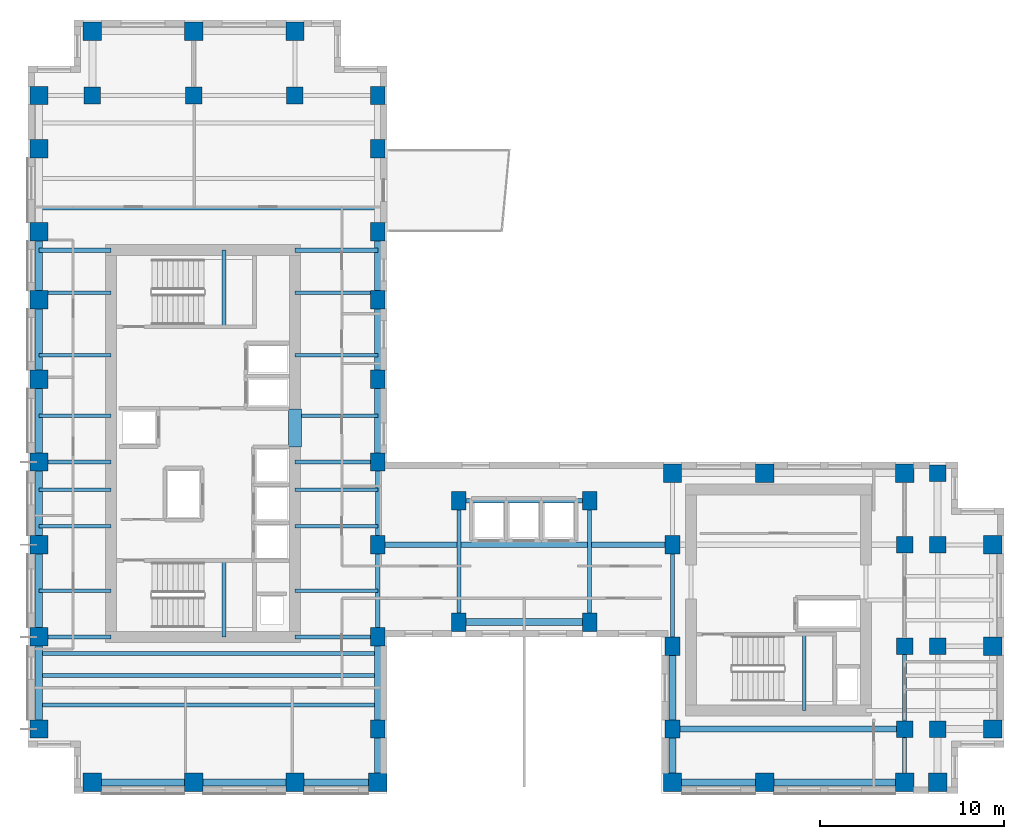
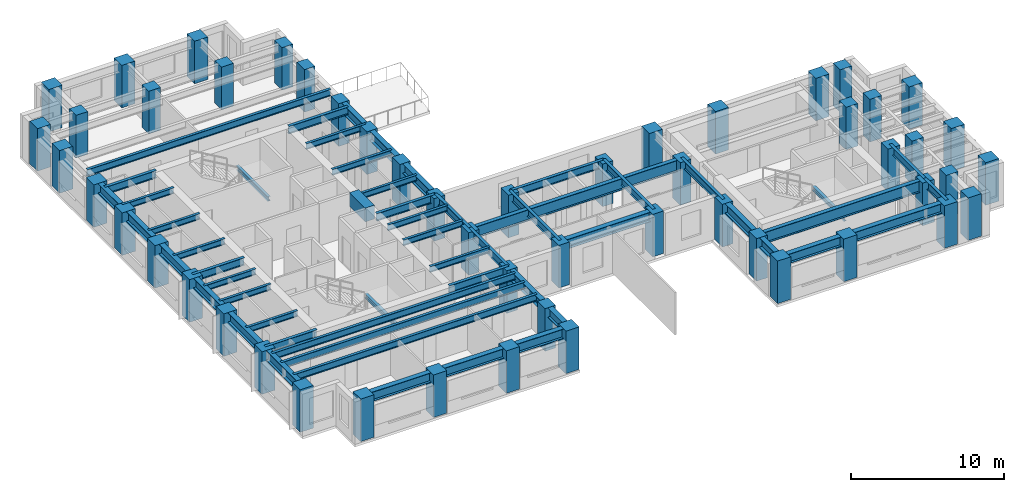
# One storey, part 1 of 10: 55 beams, 52 columns.
"""IFC4 building model written with IfcOpenShell, lengths in metres."""

from ifc_helpers import new_model, si_unit, direction, frame, origin, origin_2d, place, context, subcontext, project, spatial, rectangle, i_section, extrude, source, transform, mapped, material, material_profile, profile_set, type_object, element, save


model = new_model("IFC4")

# Units and contexts
model_context = context("Model", 3, precision=1e-05, world=origin(), true_north=direction((0.0, 1.0)))
body_context = subcontext(model_context, "Body", "Model", "MODEL_VIEW")
ifc_project = project(units=[si_unit("LENGTHUNIT", "METRE"), si_unit("AREAUNIT", "SQUARE_METRE"), si_unit("VOLUMEUNIT", "CUBIC_METRE"), si_unit("PLANEANGLEUNIT", "RADIAN"), si_unit("MASSUNIT", "GRAM", prefix="KILO")], contexts=[model_context])

# Site, building, storey
site_placement = place(None, origin())
site = spatial("IfcSite", under=ifc_project, at=site_placement, CompositionType="ELEMENT")
building_placement = place(site_placement, origin())
building = spatial("IfcBuilding", under=site, at=building_placement, Name="Kharzan Plaza Tower", CompositionType="ELEMENT")
storey_placement = place(building_placement, frame((0.0, 0.0, 157.5)))
storey = spatial("IfcBuildingStorey", under=building, at=storey_placement, Name="L42", CompositionType="ELEMENT", Elevation=157.5)

# Columns
ifc_material_1 = material(Name="Concrete C50/60", Category="concrete")
ifc_material_profile_1 = material_profile(ifc_material_1, rectangle(XDim=0.89990234375, YDim=0.89990234375, at=origin_2d()), Name="RC-IC900x900")
ifc_profile_set_1 = profile_set([ifc_material_profile_1], Name="Concrete C50/60")
column_type_1 = type_object("IfcColumnType", Name="COL-IC900", PredefinedType="COLUMN", material=ifc_profile_set_1)
shared_shape_1 = source(origin(), body_context, "Body", "SweptSolid", [
    extrude(rectangle(XDim=0.89990234375, YDim=0.89990234375, at=origin_2d()), origin(), (0.0, 0.0, 1.0), 3.39990234375),
])
for number, where, z_axis, x_axis, name in (
    (1, (47.60009765625, 13.5, 0.0), (0.0, 0.0, 1.0), (1.0, 0.0, 0.0), "L42 Structural Column TCBI-135"),
    (2, (47.60009765625, 3.5, 0.0), (0.0, 0.0, 1.0), (1.0, 0.0, 0.0), "L42 Structural Column TCBI-35"),
    (3, (47.60009765625, 8.0, 0.0), (0.0, 0.0, 1.0), (1.0, 0.0, 0.0), "L42 Structural Column TCBI-80"),
    (4, (49.39990234375, 13.5, 0.0), (0.0, 0.0, 1.0), (1.0, 0.0, 0.0), "L42 Structural Column TCE-494-135"),
    (5, (49.39990234375, 17.39990234375, 0.0), (0.0, 0.0, 1.0), (1.0, 0.0, 0.0), "L42 Structural Column TCE-494-174"),
    (6, (49.39990234375, 3.5, 0.0), (0.0, 0.0, 1.0), (1.0, 0.0, 0.0), "L42 Structural Column TCE-494-35"),
    (7, (49.39990234375, 8.0, 0.0), (0.0, 0.0, 1.0), (1.0, 0.0, 0.0), "L42 Structural Column TCE-494-80"),
    (8, (14.5, 37.89990234375, 0.0), (0.0, 0.0, 1.0), (1.0, 0.0, 0.0), "L42 Structural Column TCN-145-379"),
    (9, (3.5, 37.89990234375, 0.0), (0.0, 0.0, 1.0), (1.0, 0.0, 0.0), "L42 Structural Column TCN-35-379"),
    (10, (9.0, 37.89990234375, 0.0), (0.0, 0.0, 1.0), (1.0, 0.0, 0.0), "L42 Structural Column TCN-90-379"),
):
    element("IfcColumn", number, at=place(storey_placement, frame(where, z_axis=z_axis, x_axis=x_axis)), inside=storey, type_object=column_type_1, Name=name, PredefinedType="COLUMN", context=body_context, shape_type="MappedRepresentation", body=[
        mapped(shared_shape_1, transform((0.0, 0.0, 0.0), x_axis=(1.0, 0.0, 0.0), y_axis=(0.0, 1.0, 0.0), z_axis=(0.0, 0.0, 1.0))),
    ])
ifc_material_profile_2 = material_profile(ifc_material_1, rectangle(XDim=0.800048828125, YDim=1.0, at=origin_2d()), Name="RC-SC1000x800")
ifc_profile_set_2 = profile_set([ifc_material_profile_2], Name="Concrete C50/60")
column_type_2 = type_object("IfcColumnType", Name="COL-SC1000", PredefinedType="COLUMN", material=ifc_profile_set_2)
shared_shape_2 = source(origin(), body_context, "Body", "SweptSolid", [
    extrude(rectangle(XDim=0.800048828125, YDim=1.0, at=origin_2d()), origin(), (0.0, 0.0, 1.0), 3.39990234375),
])
for number, where, z_axis, x_axis, name in (
    (11, (19.0, 13.5, 0.0), (0.0, 0.0, 1.0), (1.0, 0.0, 0.0), "L42 Structural Column TCA-135"),
    (12, (19.0, 18.0, 0.0), (0.0, 0.0, 1.0), (1.0, 0.0, 0.0), "L42 Structural Column TCA-180"),
    (13, (19.0, 22.5, 0.0), (0.0, 0.0, 1.0), (1.0, 0.0, 0.0), "L42 Structural Column TCA-225"),
    (14, (19.0, 26.800048828125, 0.0), (0.0, 0.0, 1.0), (1.0, 0.0, 0.0), "L42 Structural Column TCA-268"),
    (15, (19.0, 30.5, 0.0), (0.0, 0.0, 1.0), (1.0, 0.0, 0.0), "L42 Structural Column TCA-305"),
    (16, (19.0, 3.5, 0.0), (0.0, 0.0, 1.0), (1.0, 0.0, 0.0), "L42 Structural Column TCA-35"),
    (17, (19.0, 35.0, 0.0), (0.0, 0.0, 1.0), (1.0, 0.0, 0.0), "L42 Structural Column TCA-350"),
    (18, (19.0, 37.89990234375, 0.0), (0.0, 0.0, 1.0), (1.0, 0.0, 0.0), "L42 Structural Column TCA-379"),
    (19, (19.0, 8.5, 0.0), (0.0, 0.0, 1.0), (1.0, 0.0, 0.0), "L42 Structural Column TCA-85"),
    (20, (35.0, 13.5, 0.0), (0.0, 0.0, 1.0), (1.0, 0.0, 0.0), "L42 Structural Column TCBS-135"),
    (21, (35.0, 3.5, 0.0), (0.0, 0.0, 1.0), (1.0, 0.0, 0.0), "L42 Structural Column TCBS-35"),
    (22, (35.0, 8.0, 0.0), (0.0, 0.0, 1.0), (1.0, 0.0, 0.0), "L42 Structural Column TCBS-80"),
    (23, (23.39990234375, 15.89990234375, 0.0), (0.0, 0.0, 1.0), (1.0, 0.0, 0.0), "L42 Structural Column TCSP-234-159"),
    (24, (23.39990234375, 9.300048828125, 0.0), (0.0, 0.0, 1.0), (1.0, 0.0, 0.0), "L42 Structural Column TCSP-234-93"),
    (25, (30.5, 15.89990234375, 0.0), (0.0, 0.0, 1.0), (1.0, 0.0, 0.0), "L42 Structural Column TCSP-305-159"),
    (26, (30.5, 9.300048828125, 0.0), (0.0, 0.0, 1.0), (1.0, 0.0, 0.0), "L42 Structural Column TCSP-305-93"),
):
    element("IfcColumn", number, at=place(storey_placement, frame(where, z_axis=z_axis, x_axis=x_axis)), inside=storey, type_object=column_type_2, Name=name, PredefinedType="COLUMN", context=body_context, shape_type="MappedRepresentation", body=[
        mapped(shared_shape_2, transform((0.0, 0.0, 0.0), x_axis=(1.0, 0.0, 0.0), y_axis=(0.0, 1.0, 0.0), z_axis=(0.0, 0.0, 1.0))),
    ])
ifc_material_profile_3 = material_profile(ifc_material_1, rectangle(XDim=1.0, YDim=1.0, at=origin_2d()), Name="RC-TC1000x1000")
ifc_profile_set_3 = profile_set([ifc_material_profile_3], Name="Concrete C50/60")
column_type_3 = type_object("IfcColumnType", Name="COL-TC1000", PredefinedType="COLUMN", material=ifc_profile_set_3)
shared_shape_3 = source(origin(), body_context, "Body", "SweptSolid", [
    extrude(rectangle(XDim=1.0, YDim=1.0, at=origin_2d()), origin(), (0.0, 0.0, 1.0), 3.39990234375),
])
for number, where, z_axis, x_axis, name in (
    (27, (35.0, 17.39990234375, 0.0), (0.0, 0.0, 1.0), (1.0, 0.0, 0.0), "L42 Structural Column TCBN-350-174"),
    (28, (40.0, 17.39990234375, 0.0), (0.0, 0.0, 1.0), (1.0, 0.0, 0.0), "L42 Structural Column TCBN-400-174"),
    (29, (47.60009765625, 17.39990234375, 0.0), (0.0, 0.0, 1.0), (1.0, 0.0, 0.0), "L42 Structural Column TCBN-476-174"),
    (30, (52.39990234375, 13.5, 0.0), (0.0, 0.0, 1.0), (1.0, 0.0, 0.0), "L42 Structural Column TCE-524-135"),
    (31, (52.39990234375, 3.5, 0.0), (0.0, 0.0, 1.0), (1.0, 0.0, 0.0), "L42 Structural Column TCE-524-35"),
    (32, (52.39990234375, 8.0, 0.0), (0.0, 0.0, 1.0), (1.0, 0.0, 0.0), "L42 Structural Column TCE-524-80"),
    (33, (14.5, 41.39990234375, 0.0), (0.0, 0.0, 1.0), (1.0, 0.0, 0.0), "L42 Structural Column TCN-145-414"),
    (34, (3.5, 41.39990234375, 0.0), (0.0, 0.0, 1.0), (1.0, 0.0, 0.0), "L42 Structural Column TCN-35-414"),
    (35, (9.0, 41.39990234375, 0.0), (0.0, 0.0, 1.0), (1.0, 0.0, 0.0), "L42 Structural Column TCN-90-414"),
    (36, (14.5, 0.60009765625, 0.0), (0.0, 0.0, 1.0), (1.0, 0.0, 0.0), "L42 Structural Column TCS-145"),
    (37, (19.0, 0.60009765625, 0.0), (0.0, 0.0, 1.0), (1.0, 0.0, 0.0), "L42 Structural Column TCS-190"),
    (38, (3.5, 0.60009765625, 0.0), (0.0, 0.0, 1.0), (1.0, 0.0, 0.0), "L42 Structural Column TCS-35"),
    (39, (35.0, 0.60009765625, 0.0), (0.0, 0.0, 1.0), (1.0, 0.0, 0.0), "L42 Structural Column TCS-350"),
    (40, (40.0, 0.60009765625, 0.0), (0.0, 0.0, 1.0), (1.0, 0.0, 0.0), "L42 Structural Column TCS-400"),
    (41, (47.60009765625, 0.60009765625, 0.0), (0.0, 0.0, 1.0), (1.0, 0.0, 0.0), "L42 Structural Column TCS-476"),
    (42, (49.39990234375, 0.60009765625, 0.0), (0.0, 0.0, 1.0), (1.0, 0.0, 0.0), "L42 Structural Column TCS-494"),
    (43, (9.0, 0.60009765625, 0.0), (0.0, 0.0, 1.0), (1.0, 0.0, 0.0), "L42 Structural Column TCS-90"),
    (44, (0.60009765625, 13.5, 0.0), (0.0, 0.0, 1.0), (1.0, 0.0, 0.0), "L42 Structural Column TCW-135"),
    (45, (0.60009765625, 18.0, 0.0), (0.0, 0.0, 1.0), (1.0, 0.0, 0.0), "L42 Structural Column TCW-180"),
    (46, (0.60009765625, 22.5, 0.0), (0.0, 0.0, 1.0), (1.0, 0.0, 0.0), "L42 Structural Column TCW-225"),
    (47, (0.60009765625, 26.800048828125, 0.0), (0.0, 0.0, 1.0), (1.0, 0.0, 0.0), "L42 Structural Column TCW-268"),
    (48, (0.60009765625, 30.5, 0.0), (0.0, 0.0, 1.0), (1.0, 0.0, 0.0), "L42 Structural Column TCW-305"),
    (49, (0.60009765625, 3.5, 0.0), (0.0, 0.0, 1.0), (1.0, 0.0, 0.0), "L42 Structural Column TCW-35"),
    (50, (0.60009765625, 35.0, 0.0), (0.0, 0.0, 1.0), (1.0, 0.0, 0.0), "L42 Structural Column TCW-350"),
    (51, (0.60009765625, 37.89990234375, 0.0), (0.0, 0.0, 1.0), (1.0, 0.0, 0.0), "L42 Structural Column TCW-379"),
    (52, (0.60009765625, 8.5, 0.0), (0.0, 0.0, 1.0), (1.0, 0.0, 0.0), "L42 Structural Column TCW-85"),
):
    element("IfcColumn", number, at=place(storey_placement, frame(where, z_axis=z_axis, x_axis=x_axis)), inside=storey, type_object=column_type_3, Name=name, PredefinedType="COLUMN", context=body_context, shape_type="MappedRepresentation", body=[
        mapped(shared_shape_3, transform((0.0, 0.0, 0.0), x_axis=(1.0, 0.0, 0.0), y_axis=(0.0, 1.0, 0.0), z_axis=(0.0, 0.0, 1.0))),
    ])

# Beams
ifc_material_2 = material(Name="Concrete C60/75", Category="concrete")
ifc_material_profile_4 = material_profile(ifc_material_2, rectangle(XDim=0.699951171875, YDim=1.10009765625, at=origin_2d()), Name="RC-CB1100x700")
ifc_profile_set_4 = profile_set([ifc_material_profile_4], Name="Concrete C60/75")
beam_type_1 = type_object("IfcBeamType", Name="BM-RCCB1100", PredefinedType="LINTEL", material=ifc_profile_set_4)
shared_shape_4 = source(origin(), body_context, "Body", "SweptSolid", [
    extrude(rectangle(XDim=0.699951171875, YDim=1.10009765625, at=origin_2d()), origin(), (0.0, 0.0, 1.0), 2.059814453125),
])
beam_1_placement = place(storey_placement, frame((14.5, 18.820068359375, 2.85009765625), z_axis=(0.0, 1.0, 0.0), x_axis=(-1.0, 0.0, 0.0)))
element("IfcBeam", 53, at=beam_1_placement, inside=storey, type_object=beam_type_1, Name="L42 CORE-A RC coupling beam CB1", PredefinedType="LINTEL", context=body_context, shape_type="MappedRepresentation", body=[
    mapped(shared_shape_4, transform((0.0, 0.0, 0.0), x_axis=(1.0, 0.0, 0.0), y_axis=(0.0, 1.0, 0.0), z_axis=(0.0, 0.0, 1.0))),
])
ifc_material_3 = material(Name="Steel S355", Category="steel")
ifc_material_profile_5 = material_profile(ifc_material_3, i_section(OverallWidth=0.205078125, OverallDepth=0.35400390625, WebThickness=0.009521484375, FlangeThickness=0.016845703125, at=origin_2d()), Name="W360x79")
ifc_profile_set_5 = profile_set([ifc_material_profile_5], Name="Steel S355")
beam_type_2 = type_object("IfcBeamType", Name="BM-LNT360", PredefinedType="LINTEL", material=ifc_profile_set_5)
shared_shape_5 = source(origin(), body_context, "Body", "SweptSolid", [
    extrude(i_section(OverallWidth=0.205078125, OverallDepth=0.35400390625, WebThickness=0.009521484375, FlangeThickness=0.016845703125, at=origin_2d()), origin(), (0.0, 0.0, 1.0), 4.155029296875),
])
for number, where, z_axis, x_axis, name in (
    (54, (10.64990234375, 8.5, 1.423095703125), (0.0, 1.0, 0.0), (-1.0, 0.0, 0.0), "L42 Stair ST-1 Half-Landing Beam"),
    (55, (10.64990234375, 25.344970703125, 1.423095703125), (0.0, 1.0, 0.0), (-1.0, 0.0, 0.0), "L42 Stair ST-2 Half-Landing Beam"),
    (56, (42.14990234375, 4.5, 1.423095703125), (0.0, 1.0, 0.0), (-1.0, 0.0, 0.0), "L42 Stair ST-3 Half-Landing Beam"),
):
    element("IfcBeam", number, at=place(storey_placement, frame(where, z_axis=z_axis, x_axis=x_axis)), inside=storey, type_object=beam_type_2, Name=name, PredefinedType="LINTEL", context=body_context, shape_type="MappedRepresentation", body=[
        mapped(shared_shape_5, transform((0.0, 0.0, 0.0), x_axis=(1.0, 0.0, 0.0), y_axis=(0.0, 1.0, 0.0), z_axis=(0.0, 0.0, 1.0))),
    ])
ifc_material_profile_6 = material_profile(ifc_material_3, i_section(OverallWidth=0.304931640625, OverallDepth=0.9189453125, WebThickness=0.017333984375, FlangeThickness=0.02783203125, at=origin_2d()), Name="W920x253")
ifc_profile_set_6 = profile_set([ifc_material_profile_6], Name="Steel S355")
beam_type_3 = type_object("IfcBeamType", Name="BM-FG920B", PredefinedType="BEAM", material=ifc_profile_set_6)
shared_shape_6 = source(origin(), body_context, "Body", "SweptSolid", [
    extrude(i_section(OverallWidth=0.304931640625, OverallDepth=0.9189453125, WebThickness=0.017333984375, FlangeThickness=0.02783203125, at=origin_2d()), origin(), (0.0, 0.0, 1.0), 12.60009765625),
])
beam_2_placement = place(storey_placement, frame((35.0, 3.5, 2.9404296875), z_axis=(1.0, 0.0, 0.0), x_axis=(0.0, 1.0, 0.0)))
element("IfcBeam", 57, at=beam_2_placement, inside=storey, type_object=beam_type_3, Name="L42 Primary Floor Girder", PredefinedType="BEAM", context=body_context, shape_type="MappedRepresentation", body=[
    mapped(shared_shape_6, transform((0.0, 0.0, 0.0), x_axis=(1.0, 0.0, 0.0), y_axis=(0.0, 1.0, 0.0), z_axis=(0.0, 0.0, 1.0))),
])
shared_shape_7 = source(origin(), body_context, "Body", "SweptSolid", [
    extrude(i_section(OverallWidth=0.304931640625, OverallDepth=0.9189453125, WebThickness=0.017333984375, FlangeThickness=0.02783203125, at=origin_2d()), origin(), (0.0, 0.0, 1.0), 16.0),
])
beam_3_placement = place(storey_placement, frame((19.0, 13.5, 2.9404296875), z_axis=(1.0, 0.0, 0.0), x_axis=(0.0, 1.0, 0.0)))
element("IfcBeam", 58, at=beam_3_placement, inside=storey, type_object=beam_type_3, Name="L42 Primary Floor Girder", PredefinedType="BEAM", context=body_context, shape_type="MappedRepresentation", body=[
    mapped(shared_shape_7, transform((0.0, 0.0, 0.0), x_axis=(1.0, 0.0, 0.0), y_axis=(0.0, 1.0, 0.0), z_axis=(0.0, 0.0, 1.0))),
])
ifc_material_profile_7 = material_profile(ifc_material_3, i_section(OverallWidth=0.2099609375, OverallDepth=0.537109375, WebThickness=0.010986328125, FlangeThickness=0.017333984375, at=origin_2d()), Name="W530x101")
ifc_profile_set_7 = profile_set([ifc_material_profile_7], Name="Steel S355")
beam_type_4 = type_object("IfcBeamType", Name="BM-JST530B", PredefinedType="JOIST", material=ifc_profile_set_7)
shared_shape_8 = source(origin(), body_context, "Body", "SweptSolid", [
    extrude(i_section(OverallWidth=0.2099609375, OverallDepth=0.537109375, WebThickness=0.010986328125, FlangeThickness=0.017333984375, at=origin_2d()), origin(), (0.0, 0.0, 1.0), 18.39990234375),
])
for number, where, z_axis, x_axis, name in (
    (59, (0.60009765625, 4.800048828125, 3.131591796875), (1.0, 0.0, 0.0), (0.0, 1.0, 0.0), "L42 Wing A Composite Joist 01"),
    (60, (0.60009765625, 6.39990234375, 3.131591796875), (1.0, 0.0, 0.0), (0.0, 1.0, 0.0), "L42 Wing A Composite Joist 02"),
    (61, (0.60009765625, 7.60009765625, 3.131591796875), (1.0, 0.0, 0.0), (0.0, 1.0, 0.0), "L42 Wing A Composite Joist 03"),
    (62, (0.60009765625, 31.800048828125, 3.131591796875), (1.0, 0.0, 0.0), (0.0, 1.0, 0.0), "L42 Wing A Composite Joist 04"),
):
    element("IfcBeam", number, at=place(storey_placement, frame(where, z_axis=z_axis, x_axis=x_axis)), inside=storey, type_object=beam_type_4, Name=name, PredefinedType="JOIST", context=body_context, shape_type="MappedRepresentation", body=[
        mapped(shared_shape_8, transform((0.0, 0.0, 0.0), x_axis=(1.0, 0.0, 0.0), y_axis=(0.0, 1.0, 0.0), z_axis=(0.0, 0.0, 1.0))),
    ])
ifc_material_profile_8 = material_profile(ifc_material_3, i_section(OverallWidth=0.194091796875, OverallDepth=0.468994140625, WebThickness=0.011474609375, FlangeThickness=0.0205078125, at=origin_2d()), Name="W460x106")
ifc_profile_set_8 = profile_set([ifc_material_profile_8], Name="Steel S355")
beam_type_5 = type_object("IfcBeamType", Name="BM-JST460", PredefinedType="JOIST", material=ifc_profile_set_8)
shared_shape_9 = source(origin(), body_context, "Body", "SweptSolid", [
    extrude(i_section(OverallWidth=0.194091796875, OverallDepth=0.468994140625, WebThickness=0.011474609375, FlangeThickness=0.0205078125, at=origin_2d()), origin(), (0.0, 0.0, 1.0), 4.5),
])
for number, where, z_axis, x_axis, name in (
    (63, (14.5, 11.0, 3.16552734375), (1.0, 0.0, 0.0), (0.0, 1.0, 0.0), "L42 Wing A East Infill Joist 1"),
    (64, (14.5, 14.5, 3.16552734375), (1.0, 0.0, 0.0), (0.0, 1.0, 0.0), "L42 Wing A East Infill Joist 2"),
    (65, (14.5, 16.5, 3.16552734375), (1.0, 0.0, 0.0), (0.0, 1.0, 0.0), "L42 Wing A East Infill Joist 3"),
    (66, (14.5, 20.5, 3.16552734375), (1.0, 0.0, 0.0), (0.0, 1.0, 0.0), "L42 Wing A East Infill Joist 4"),
    (67, (14.5, 23.800048828125, 3.16552734375), (1.0, 0.0, 0.0), (0.0, 1.0, 0.0), "L42 Wing A East Infill Joist 5"),
    (68, (14.5, 27.199951171875, 3.16552734375), (1.0, 0.0, 0.0), (0.0, 1.0, 0.0), "L42 Wing A East Infill Joist 6"),
):
    element("IfcBeam", number, at=place(storey_placement, frame(where, z_axis=z_axis, x_axis=x_axis)), inside=storey, type_object=beam_type_5, Name=name, PredefinedType="JOIST", context=body_context, shape_type="MappedRepresentation", body=[
        mapped(shared_shape_9, transform((0.0, 0.0, 0.0), x_axis=(1.0, 0.0, 0.0), y_axis=(0.0, 1.0, 0.0), z_axis=(0.0, 0.0, 1.0))),
    ])
shared_shape_10 = source(origin(), body_context, "Body", "SweptSolid", [
    extrude(i_section(OverallWidth=0.194091796875, OverallDepth=0.468994140625, WebThickness=0.011474609375, FlangeThickness=0.0205078125, at=origin_2d()), origin(), (0.0, 0.0, 1.0), 3.89990234375),
])
for number, where, z_axis, x_axis, name in (
    (69, (0.60009765625, 11.0, 3.16552734375), (1.0, 0.0, 0.0), (0.0, 1.0, 0.0), "L42 Wing A West Infill Joist 1"),
    (70, (0.60009765625, 14.5, 3.16552734375), (1.0, 0.0, 0.0), (0.0, 1.0, 0.0), "L42 Wing A West Infill Joist 2"),
    (71, (0.60009765625, 16.5, 3.16552734375), (1.0, 0.0, 0.0), (0.0, 1.0, 0.0), "L42 Wing A West Infill Joist 3"),
    (72, (0.60009765625, 20.5, 3.16552734375), (1.0, 0.0, 0.0), (0.0, 1.0, 0.0), "L42 Wing A West Infill Joist 4"),
    (73, (0.60009765625, 23.800048828125, 3.16552734375), (1.0, 0.0, 0.0), (0.0, 1.0, 0.0), "L42 Wing A West Infill Joist 5"),
    (74, (0.60009765625, 27.199951171875, 3.16552734375), (1.0, 0.0, 0.0), (0.0, 1.0, 0.0), "L42 Wing A West Infill Joist 6"),
):
    element("IfcBeam", number, at=place(storey_placement, frame(where, z_axis=z_axis, x_axis=x_axis)), inside=storey, type_object=beam_type_5, Name=name, PredefinedType="JOIST", context=body_context, shape_type="MappedRepresentation", body=[
        mapped(shared_shape_10, transform((0.0, 0.0, 0.0), x_axis=(1.0, 0.0, 0.0), y_axis=(0.0, 1.0, 0.0), z_axis=(0.0, 0.0, 1.0))),
    ])
ifc_material_profile_9 = material_profile(ifc_material_3, i_section(OverallWidth=0.22900390625, OverallDepth=0.612060546875, WebThickness=0.011962890625, FlangeThickness=0.01953125, at=origin_2d()), Name="W610x125")
ifc_profile_set_9 = profile_set([ifc_material_profile_9], Name="Steel S355")
beam_type_6 = type_object("IfcBeamType", Name="BM-FG610B", PredefinedType="BEAM", material=ifc_profile_set_9)
shared_shape_11 = source(origin(), body_context, "Body", "SweptSolid", [
    extrude(i_section(OverallWidth=0.22900390625, OverallDepth=0.612060546875, WebThickness=0.011962890625, FlangeThickness=0.01953125, at=origin_2d()), origin(), (0.0, 0.0, 1.0), 4.5),
])
for number, where, z_axis, x_axis, name in (
    (75, (14.5, 8.5, 3.093994140625), (1.0, 0.0, 0.0), (0.0, 1.0, 0.0), "L42 Core-A East Floor Girder 1"),
    (76, (14.5, 18.0, 3.093994140625), (1.0, 0.0, 0.0), (0.0, 1.0, 0.0), "L42 Core-A East Floor Girder 2"),
    (77, (14.5, 29.5, 3.093994140625), (1.0, 0.0, 0.0), (0.0, 1.0, 0.0), "L42 Core-A East Floor Girder 3"),
    (78, (19.0, 13.5, 3.093994140625), (0.0, 1.0, 0.0), (-1.0, 0.0, 0.0), "L42 Interior Frame Girder"),
    (79, (47.60009765625, 3.5, 3.093994140625), (0.0, 1.0, 0.0), (-1.0, 0.0, 0.0), "L42 Interior Frame Girder"),
):
    element("IfcBeam", number, at=place(storey_placement, frame(where, z_axis=z_axis, x_axis=x_axis)), inside=storey, type_object=beam_type_6, Name=name, PredefinedType="BEAM", context=body_context, shape_type="MappedRepresentation", body=[
        mapped(shared_shape_11, transform((0.0, 0.0, 0.0), x_axis=(1.0, 0.0, 0.0), y_axis=(0.0, 1.0, 0.0), z_axis=(0.0, 0.0, 1.0))),
    ])
shared_shape_12 = source(origin(), body_context, "Body", "SweptSolid", [
    extrude(i_section(OverallWidth=0.22900390625, OverallDepth=0.612060546875, WebThickness=0.011962890625, FlangeThickness=0.01953125, at=origin_2d()), origin(), (0.0, 0.0, 1.0), 3.89990234375),
])
for number, where, z_axis, x_axis, name in (
    (80, (0.60009765625, 8.5, 3.093994140625), (1.0, 0.0, 0.0), (0.0, 1.0, 0.0), "L42 Core-A West Floor Girder 1"),
    (81, (0.60009765625, 18.0, 3.093994140625), (1.0, 0.0, 0.0), (0.0, 1.0, 0.0), "L42 Core-A West Floor Girder 2"),
    (82, (0.60009765625, 29.5, 3.093994140625), (1.0, 0.0, 0.0), (0.0, 1.0, 0.0), "L42 Core-A West Floor Girder 3"),
):
    element("IfcBeam", number, at=place(storey_placement, frame(where, z_axis=z_axis, x_axis=x_axis)), inside=storey, type_object=beam_type_6, Name=name, PredefinedType="BEAM", context=body_context, shape_type="MappedRepresentation", body=[
        mapped(shared_shape_12, transform((0.0, 0.0, 0.0), x_axis=(1.0, 0.0, 0.0), y_axis=(0.0, 1.0, 0.0), z_axis=(0.0, 0.0, 1.0))),
    ])
shared_shape_13 = source(origin(), body_context, "Body", "SweptSolid", [
    extrude(i_section(OverallWidth=0.22900390625, OverallDepth=0.612060546875, WebThickness=0.011962890625, FlangeThickness=0.01953125, at=origin_2d()), origin(), (0.0, 0.0, 1.0), 5.0),
])
beam_4_placement = place(storey_placement, frame((19.0, 8.5, 3.093994140625), z_axis=(0.0, 1.0, 0.0), x_axis=(-1.0, 0.0, 0.0)))
element("IfcBeam", 83, at=beam_4_placement, inside=storey, type_object=beam_type_6, Name="L42 Interior Frame Girder", PredefinedType="BEAM", context=body_context, shape_type="MappedRepresentation", body=[
    mapped(shared_shape_13, transform((0.0, 0.0, 0.0), x_axis=(1.0, 0.0, 0.0), y_axis=(0.0, 1.0, 0.0), z_axis=(0.0, 0.0, 1.0))),
])
shared_shape_14 = source(origin(), body_context, "Body", "SweptSolid", [
    extrude(i_section(OverallWidth=0.22900390625, OverallDepth=0.612060546875, WebThickness=0.011962890625, FlangeThickness=0.01953125, at=origin_2d()), origin(), (0.0, 0.0, 1.0), 6.599853515625),
])
for number, where, z_axis, x_axis, name in (
    (84, (23.39990234375, 9.300048828125, 3.093994140625), (0.0, 1.0, 0.0), (-1.0, 0.0, 0.0), "L42 Interior Frame Girder"),
    (85, (30.5, 9.300048828125, 3.093994140625), (0.0, 1.0, 0.0), (-1.0, 0.0, 0.0), "L42 Interior Frame Girder"),
):
    element("IfcBeam", number, at=place(storey_placement, frame(where, z_axis=z_axis, x_axis=x_axis)), inside=storey, type_object=beam_type_6, Name=name, PredefinedType="BEAM", context=body_context, shape_type="MappedRepresentation", body=[
        mapped(shared_shape_14, transform((0.0, 0.0, 0.0), x_axis=(1.0, 0.0, 0.0), y_axis=(0.0, 1.0, 0.0), z_axis=(0.0, 0.0, 1.0))),
    ])
shared_shape_15 = source(origin(), body_context, "Body", "SweptSolid", [
    extrude(i_section(OverallWidth=0.22900390625, OverallDepth=0.612060546875, WebThickness=0.011962890625, FlangeThickness=0.01953125, at=origin_2d()), origin(), (0.0, 0.0, 1.0), 5.5),
])
beam_5_placement = place(storey_placement, frame((35.0, 8.0, 3.093994140625), z_axis=(0.0, 1.0, 0.0), x_axis=(-1.0, 0.0, 0.0)))
element("IfcBeam", 86, at=beam_5_placement, inside=storey, type_object=beam_type_6, Name="L42 Interior Frame Girder", PredefinedType="BEAM", context=body_context, shape_type="MappedRepresentation", body=[
    mapped(shared_shape_15, transform((0.0, 0.0, 0.0), x_axis=(1.0, 0.0, 0.0), y_axis=(0.0, 1.0, 0.0), z_axis=(0.0, 0.0, 1.0))),
])
shared_shape_16 = source(origin(), body_context, "Body", "SweptSolid", [
    extrude(i_section(OverallWidth=0.22900390625, OverallDepth=0.612060546875, WebThickness=0.011962890625, FlangeThickness=0.01953125, at=origin_2d()), origin(), (0.0, 0.0, 1.0), 2.89990234375),
])
beam_6_placement = place(storey_placement, frame((47.60009765625, 0.60009765625, 3.093994140625), z_axis=(0.0, 1.0, 0.0), x_axis=(-1.0, 0.0, 0.0)))
element("IfcBeam", 87, at=beam_6_placement, inside=storey, type_object=beam_type_6, Name="L42 Interior Frame Girder", PredefinedType="BEAM", context=body_context, shape_type="MappedRepresentation", body=[
    mapped(shared_shape_16, transform((0.0, 0.0, 0.0), x_axis=(1.0, 0.0, 0.0), y_axis=(0.0, 1.0, 0.0), z_axis=(0.0, 0.0, 1.0))),
])
shared_shape_17 = source(origin(), body_context, "Body", "SweptSolid", [
    extrude(i_section(OverallWidth=0.22900390625, OverallDepth=0.612060546875, WebThickness=0.011962890625, FlangeThickness=0.01953125, at=origin_2d()), origin(), (0.0, 0.0, 1.0), 7.10009765625),
])
beam_7_placement = place(storey_placement, frame((23.39990234375, 15.89990234375, 3.093994140625), z_axis=(1.0, 0.0, 0.0), x_axis=(0.0, 1.0, 0.0)))
element("IfcBeam", 88, at=beam_7_placement, inside=storey, type_object=beam_type_6, Name="L42 Primary Floor Girder", PredefinedType="BEAM", context=body_context, shape_type="MappedRepresentation", body=[
    mapped(shared_shape_17, transform((0.0, 0.0, 0.0), x_axis=(1.0, 0.0, 0.0), y_axis=(0.0, 1.0, 0.0), z_axis=(0.0, 0.0, 1.0))),
])
ifc_material_profile_10 = material_profile(ifc_material_3, i_section(OverallWidth=0.381103515625, OverallDepth=0.77294921875, WebThickness=0.0166015625, FlangeThickness=0.027587890625, at=origin_2d()), Name="W760x257")
ifc_profile_set_10 = profile_set([ifc_material_profile_10], Name="Steel S355")
beam_type_7 = type_object("IfcBeamType", Name="BM-SP760A", PredefinedType="SPANDREL", material=ifc_profile_set_10)
shared_shape_18 = source(origin(), body_context, "Body", "SweptSolid", [
    extrude(i_section(OverallWidth=0.381103515625, OverallDepth=0.77294921875, WebThickness=0.0166015625, FlangeThickness=0.027587890625, at=origin_2d()), origin(), (0.0, 0.0, 1.0), 5.0),
])
for number, where, z_axis, x_axis, name in (
    (89, (0.60009765625, 3.5, 3.013427734375), (0.0, 1.0, 0.0), (-1.0, 0.0, 0.0), "L42 Perimeter Tube Spandrel"),
    (90, (0.60009765625, 8.5, 3.013427734375), (0.0, 1.0, 0.0), (-1.0, 0.0, 0.0), "L42 Perimeter Tube Spandrel"),
    (91, (19.0, 3.5, 3.013427734375), (0.0, 1.0, 0.0), (-1.0, 0.0, 0.0), "L42 Perimeter Tube Spandrel"),
    (92, (35.0, 0.60009765625, 3.013427734375), (1.0, 0.0, 0.0), (0.0, 1.0, 0.0), "L42 Perimeter Tube Spandrel"),
):
    element("IfcBeam", number, at=place(storey_placement, frame(where, z_axis=z_axis, x_axis=x_axis)), inside=storey, type_object=beam_type_7, Name=name, PredefinedType="SPANDREL", context=body_context, shape_type="MappedRepresentation", body=[
        mapped(shared_shape_18, transform((0.0, 0.0, 0.0), x_axis=(1.0, 0.0, 0.0), y_axis=(0.0, 1.0, 0.0), z_axis=(0.0, 0.0, 1.0))),
    ])
shared_shape_19 = source(origin(), body_context, "Body", "SweptSolid", [
    extrude(i_section(OverallWidth=0.381103515625, OverallDepth=0.77294921875, WebThickness=0.0166015625, FlangeThickness=0.027587890625, at=origin_2d()), origin(), (0.0, 0.0, 1.0), 4.5),
])
for number, where, z_axis, x_axis, name in (
    (93, (0.60009765625, 13.5, 3.013427734375), (0.0, 1.0, 0.0), (-1.0, 0.0, 0.0), "L42 Perimeter Tube Spandrel"),
    (94, (0.60009765625, 18.0, 3.013427734375), (0.0, 1.0, 0.0), (-1.0, 0.0, 0.0), "L42 Perimeter Tube Spandrel"),
    (95, (19.0, 18.0, 3.013427734375), (0.0, 1.0, 0.0), (-1.0, 0.0, 0.0), "L42 Perimeter Tube Spandrel"),
    (96, (35.0, 3.5, 3.013427734375), (0.0, 1.0, 0.0), (-1.0, 0.0, 0.0), "L42 Perimeter Tube Spandrel"),
    (97, (14.5, 0.60009765625, 3.013427734375), (1.0, 0.0, 0.0), (0.0, 1.0, 0.0), "L42 Perimeter Tube Spandrel"),
):
    element("IfcBeam", number, at=place(storey_placement, frame(where, z_axis=z_axis, x_axis=x_axis)), inside=storey, type_object=beam_type_7, Name=name, PredefinedType="SPANDREL", context=body_context, shape_type="MappedRepresentation", body=[
        mapped(shared_shape_19, transform((0.0, 0.0, 0.0), x_axis=(1.0, 0.0, 0.0), y_axis=(0.0, 1.0, 0.0), z_axis=(0.0, 0.0, 1.0))),
    ])
shared_shape_20 = source(origin(), body_context, "Body", "SweptSolid", [
    extrude(i_section(OverallWidth=0.381103515625, OverallDepth=0.77294921875, WebThickness=0.0166015625, FlangeThickness=0.027587890625, at=origin_2d()), origin(), (0.0, 0.0, 1.0), 4.300048828125),
])
for number, where, z_axis, x_axis, name in (
    (98, (0.60009765625, 22.5, 3.013427734375), (0.0, 1.0, 0.0), (-1.0, 0.0, 0.0), "L42 Perimeter Tube Spandrel"),
    (99, (19.0, 22.5, 3.013427734375), (0.0, 1.0, 0.0), (-1.0, 0.0, 0.0), "L42 Perimeter Tube Spandrel"),
):
    element("IfcBeam", number, at=place(storey_placement, frame(where, z_axis=z_axis, x_axis=x_axis)), inside=storey, type_object=beam_type_7, Name=name, PredefinedType="SPANDREL", context=body_context, shape_type="MappedRepresentation", body=[
        mapped(shared_shape_20, transform((0.0, 0.0, 0.0), x_axis=(1.0, 0.0, 0.0), y_axis=(0.0, 1.0, 0.0), z_axis=(0.0, 0.0, 1.0))),
    ])
shared_shape_21 = source(origin(), body_context, "Body", "SweptSolid", [
    extrude(i_section(OverallWidth=0.381103515625, OverallDepth=0.77294921875, WebThickness=0.0166015625, FlangeThickness=0.027587890625, at=origin_2d()), origin(), (0.0, 0.0, 1.0), 3.699951171875),
])
for number, where, z_axis, x_axis, name in (
    (100, (0.60009765625, 26.800048828125, 3.013427734375), (0.0, 1.0, 0.0), (-1.0, 0.0, 0.0), "L42 Perimeter Tube Spandrel"),
    (101, (19.0, 26.800048828125, 3.013427734375), (0.0, 1.0, 0.0), (-1.0, 0.0, 0.0), "L42 Perimeter Tube Spandrel"),
):
    element("IfcBeam", number, at=place(storey_placement, frame(where, z_axis=z_axis, x_axis=x_axis)), inside=storey, type_object=beam_type_7, Name=name, PredefinedType="SPANDREL", context=body_context, shape_type="MappedRepresentation", body=[
        mapped(shared_shape_21, transform((0.0, 0.0, 0.0), x_axis=(1.0, 0.0, 0.0), y_axis=(0.0, 1.0, 0.0), z_axis=(0.0, 0.0, 1.0))),
    ])
shared_shape_22 = source(origin(), body_context, "Body", "SweptSolid", [
    extrude(i_section(OverallWidth=0.381103515625, OverallDepth=0.77294921875, WebThickness=0.0166015625, FlangeThickness=0.027587890625, at=origin_2d()), origin(), (0.0, 0.0, 1.0), 2.89990234375),
])
for number, where, z_axis, x_axis, name in (
    (102, (19.0, 0.60009765625, 3.013427734375), (0.0, 1.0, 0.0), (-1.0, 0.0, 0.0), "L42 Perimeter Tube Spandrel"),
    (103, (35.0, 0.60009765625, 3.013427734375), (0.0, 1.0, 0.0), (-1.0, 0.0, 0.0), "L42 Perimeter Tube Spandrel"),
):
    element("IfcBeam", number, at=place(storey_placement, frame(where, z_axis=z_axis, x_axis=x_axis)), inside=storey, type_object=beam_type_7, Name=name, PredefinedType="SPANDREL", context=body_context, shape_type="MappedRepresentation", body=[
        mapped(shared_shape_22, transform((0.0, 0.0, 0.0), x_axis=(1.0, 0.0, 0.0), y_axis=(0.0, 1.0, 0.0), z_axis=(0.0, 0.0, 1.0))),
    ])
shared_shape_23 = source(origin(), body_context, "Body", "SweptSolid", [
    extrude(i_section(OverallWidth=0.381103515625, OverallDepth=0.77294921875, WebThickness=0.0166015625, FlangeThickness=0.027587890625, at=origin_2d()), origin(), (0.0, 0.0, 1.0), 5.5),
])
for number, where, z_axis, x_axis, name in (
    (104, (3.5, 0.60009765625, 3.013427734375), (1.0, 0.0, 0.0), (0.0, 1.0, 0.0), "L42 Perimeter Tube Spandrel"),
    (105, (9.0, 0.60009765625, 3.013427734375), (1.0, 0.0, 0.0), (0.0, 1.0, 0.0), "L42 Perimeter Tube Spandrel"),
):
    element("IfcBeam", number, at=place(storey_placement, frame(where, z_axis=z_axis, x_axis=x_axis)), inside=storey, type_object=beam_type_7, Name=name, PredefinedType="SPANDREL", context=body_context, shape_type="MappedRepresentation", body=[
        mapped(shared_shape_23, transform((0.0, 0.0, 0.0), x_axis=(1.0, 0.0, 0.0), y_axis=(0.0, 1.0, 0.0), z_axis=(0.0, 0.0, 1.0))),
    ])
shared_shape_24 = source(origin(), body_context, "Body", "SweptSolid", [
    extrude(i_section(OverallWidth=0.381103515625, OverallDepth=0.77294921875, WebThickness=0.0166015625, FlangeThickness=0.027587890625, at=origin_2d()), origin(), (0.0, 0.0, 1.0), 7.60009765625),
])
beam_8_placement = place(storey_placement, frame((40.0, 0.60009765625, 3.013427734375), z_axis=(1.0, 0.0, 0.0), x_axis=(0.0, 1.0, 0.0)))
element("IfcBeam", 106, at=beam_8_placement, inside=storey, type_object=beam_type_7, Name="L42 Perimeter Tube Spandrel", PredefinedType="SPANDREL", context=body_context, shape_type="MappedRepresentation", body=[
    mapped(shared_shape_24, transform((0.0, 0.0, 0.0), x_axis=(1.0, 0.0, 0.0), y_axis=(0.0, 1.0, 0.0), z_axis=(0.0, 0.0, 1.0))),
])
shared_shape_25 = source(origin(), body_context, "Body", "SweptSolid", [
    extrude(i_section(OverallWidth=0.381103515625, OverallDepth=0.77294921875, WebThickness=0.0166015625, FlangeThickness=0.027587890625, at=origin_2d()), origin(), (0.0, 0.0, 1.0), 7.10009765625),
])
beam_9_placement = place(storey_placement, frame((23.39990234375, 9.300048828125, 3.013427734375), z_axis=(1.0, 0.0, 0.0), x_axis=(0.0, 1.0, 0.0)))
element("IfcBeam", 107, at=beam_9_placement, inside=storey, type_object=beam_type_7, Name="L42 Perimeter Tube Spandrel", PredefinedType="SPANDREL", context=body_context, shape_type="MappedRepresentation", body=[
    mapped(shared_shape_25, transform((0.0, 0.0, 0.0), x_axis=(1.0, 0.0, 0.0), y_axis=(0.0, 1.0, 0.0), z_axis=(0.0, 0.0, 1.0))),
])

save(model, "model.ifc")
